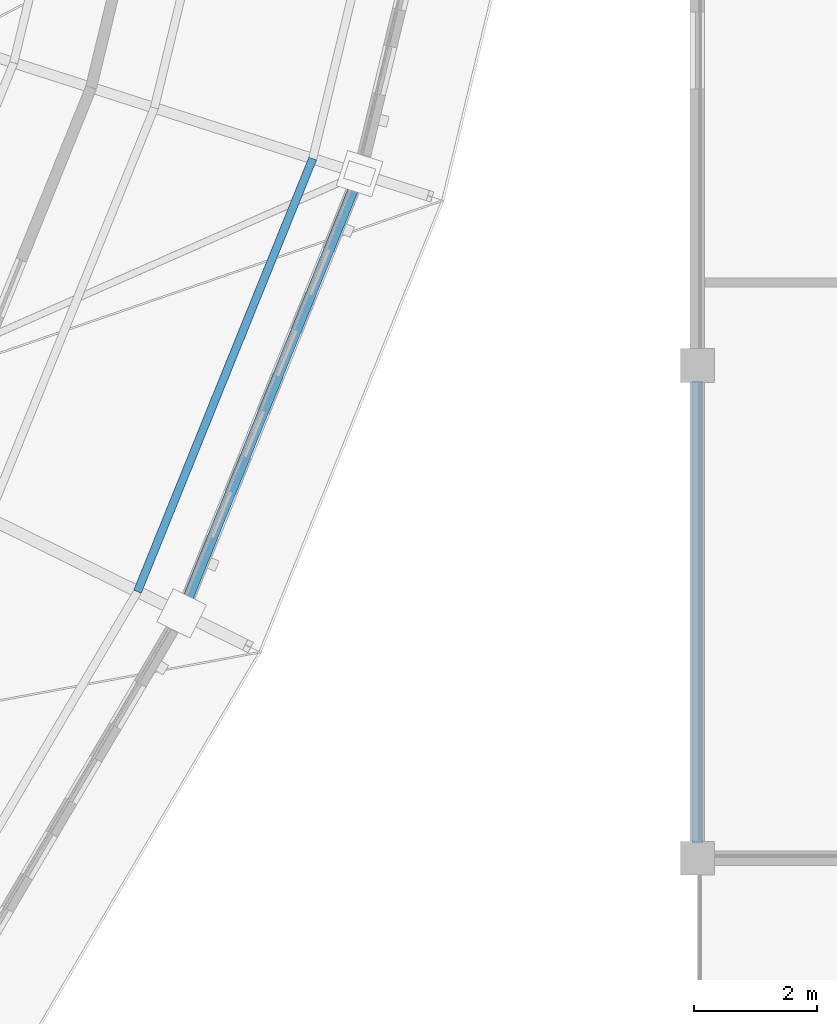
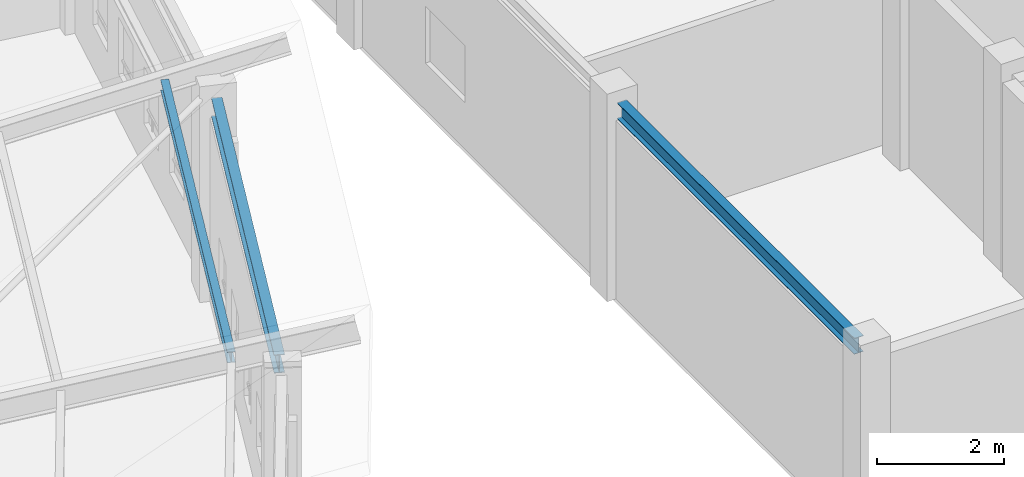
# One storey, part 88 of 149: 2 beams, 1 member.
"""IFC4 building model written with IfcOpenShell, lengths in metres."""

from ifc_helpers import new_model, si_unit, direction, frame, origin, origin_2d, place, context, subcontext, project, spatial, i_section, extrude, material, material_profile, profile_set, type_object, element, save


model = new_model("IFC4")

# Units and contexts
model_context = context("Model", 3, precision=1e-05, world=origin(), true_north=direction((0.0, 1.0)))
body_context = subcontext(model_context, "Body", "Model", "MODEL_VIEW")
ifc_project = project(units=[si_unit("LENGTHUNIT", "METRE"), si_unit("AREAUNIT", "SQUARE_METRE"), si_unit("VOLUMEUNIT", "CUBIC_METRE"), si_unit("PLANEANGLEUNIT", "RADIAN"), si_unit("MASSUNIT", "GRAM", prefix="KILO")], contexts=[model_context])

# Site, building, storey
site_placement = place(None, origin())
site = spatial("IfcSite", under=ifc_project, at=site_placement, CompositionType="ELEMENT")
building_placement = place(site_placement, origin())
building = spatial("IfcBuilding", under=site, at=building_placement, Name="Celadon Cloister-Ring School", CompositionType="ELEMENT")
storey_placement = place(building_placement, frame((0.0, 0.0, 12.5)))
storey = spatial("IfcBuildingStorey", under=building, at=storey_placement, Name="L03", CompositionType="ELEMENT", Elevation=12.5)

# Beam
ifc_material_1 = material(Name="Structural steel S355JR", Category="steel")
ifc_material_profile_1 = material_profile(ifc_material_1, i_section(OverallWidth=0.1650390625, OverallDepth=0.31005859375, WebThickness=0.005859375, FlangeThickness=0.009765625, at=origin_2d()), Name="W310X39")
ifc_profile_set_1 = profile_set([ifc_material_profile_1], Name="Structural steel S355JR")
beam_type_1 = type_object("IfcBeamType", Name="BT-09", PredefinedType="BEAM", material=ifc_profile_set_1)
beam_1_placement = place(storey_placement, frame((142.0, 32.25, 3.60498046875), z_axis=(0.0, 1.0, 0.0), x_axis=(-1.0, 0.0, 0.0)))
element("IfcBeam", 1, at=beam_1_placement, inside=storey, type_object=beam_type_1, Name="Beam 1452", PredefinedType="BEAM", context=body_context, shape_type="SweptSolid", body=[
    extrude(i_section(OverallWidth=0.1650390625, OverallDepth=0.31005859375, WebThickness=0.005859375, FlangeThickness=0.009765625, at=origin_2d()), origin(), (0.0, 0.0, 1.0), 7.5),
])

# Member
ifc_material_2 = material(Name="Structural steel S355JR", Category="steel")
ifc_material_profile_2 = material_profile(ifc_material_2, i_section(OverallWidth=0.133056640625, OverallDepth=0.20703125, WebThickness=0.005859375, FlangeThickness=0.00830078125, at=origin_2d()), Name="W200X27")
ifc_profile_set_2 = profile_set([ifc_material_profile_2], Name="Structural steel S355JR")
member_type = type_object("IfcMemberType", Name="MP-04", PredefinedType="PURLIN", material=ifc_profile_set_2)
member_placement = place(storey_placement, frame((132.907958984375, 36.3310546875, 4.073974609375), z_axis=(0.375089370525, 0.926988653716, 0.0), x_axis=(-0.926988653716, 0.375089370525, 0.0)))
element("IfcMember", 2, at=member_placement, inside=storey, type_object=member_type, Name="Structural Member 0207", PredefinedType="PURLIN", context=body_context, shape_type="SweptSolid", body=[
    extrude(i_section(OverallWidth=0.133056640625, OverallDepth=0.20703125, WebThickness=0.005859375, FlangeThickness=0.00830078125, at=origin_2d()), origin(), (0.0, 0.0, 1.0), 7.584716796875),
])

# Beam
ifc_material_3 = material(Name="Structural steel S355JR", Category="steel")
ifc_material_profile_3 = material_profile(ifc_material_3, i_section(OverallWidth=0.1708984375, OverallDepth=0.35498046875, WebThickness=0.007080078125, FlangeThickness=0.01171875, at=origin_2d()), Name="W360X51")
ifc_profile_set_3 = profile_set([ifc_material_profile_3], Name="Structural steel S355JR")
beam_type_2 = type_object("IfcBeamType", Name="SP-04", PredefinedType="SPANDREL", material=ifc_profile_set_3)
beam_2_placement = place(storey_placement, frame((133.72802734375, 36.23193359375, 3.722900390625), z_axis=(0.37520043771, 0.926943704624, 0.0), x_axis=(-0.926943704624, 0.37520043771, 0.0)))
element("IfcBeam", 3, at=beam_2_placement, inside=storey, type_object=beam_type_2, Name="Beam 0571", PredefinedType="SPANDREL", context=body_context, shape_type="SweptSolid", body=[
    extrude(i_section(OverallWidth=0.1708984375, OverallDepth=0.35498046875, WebThickness=0.007080078125, FlangeThickness=0.01171875, at=origin_2d()), origin(), (0.0, 0.0, 1.0), 7.15380859375),
])

save(model, "model.ifc")
